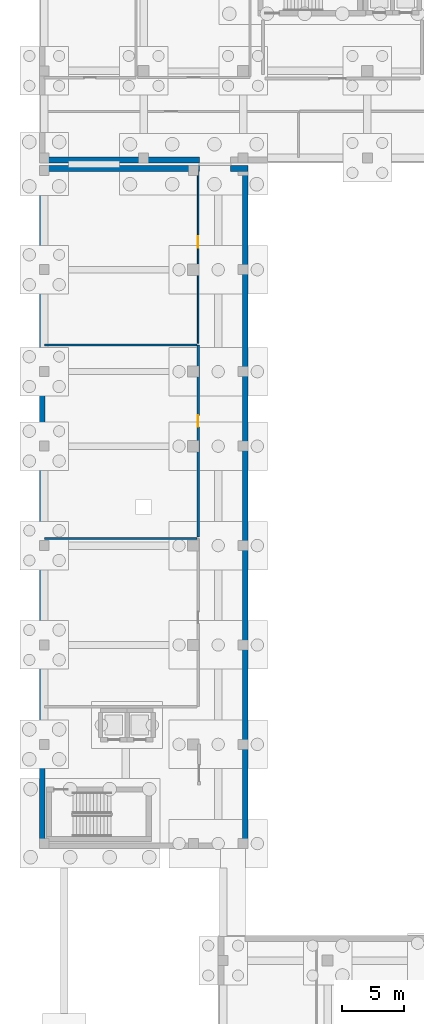
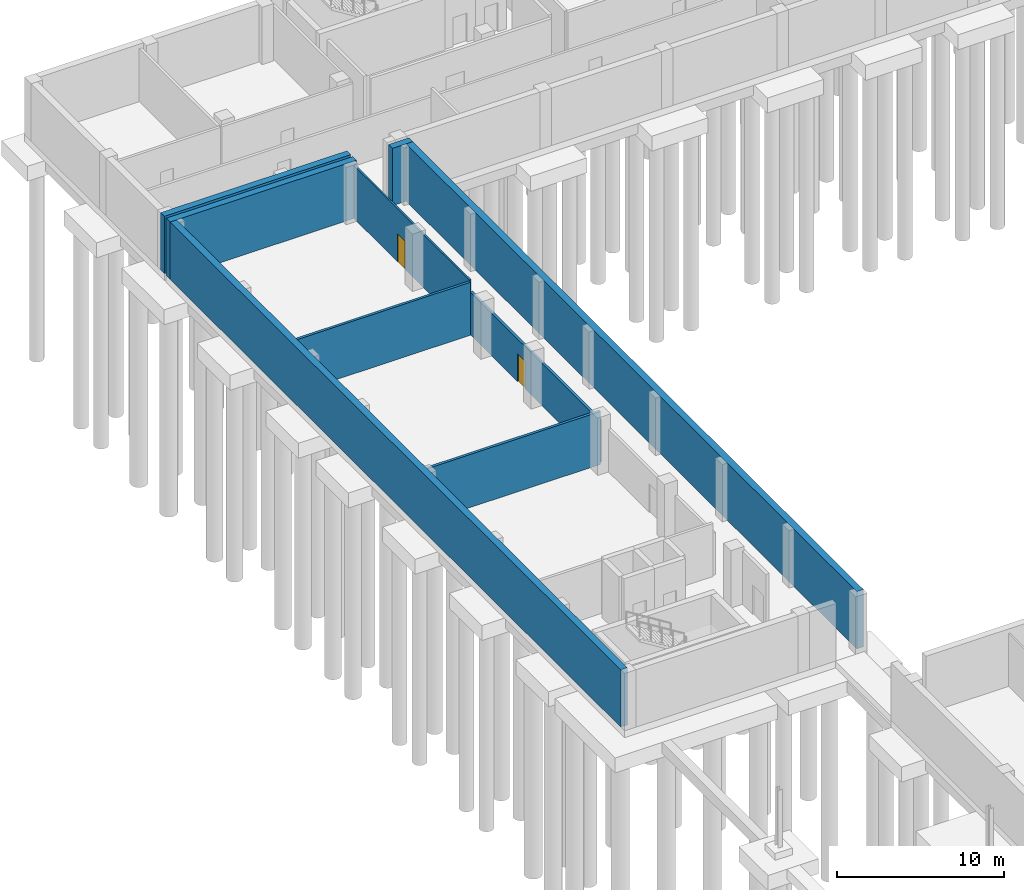
# One storey, part 20 of 31: 9 walls, 2 doors, 2 openings.
"""IFC4 building model written with IfcOpenShell, lengths in metres."""

from ifc_helpers import new_model, si_unit, direction, frame, frame_2d, origin, place, context, subcontext, project, spatial, rectangle, extrude, material, layer, layer_set, type_object, element, fill, save


model = new_model("IFC4")

# Units and contexts
model_context = context("Model", 3, precision=1e-05, world=origin(), true_north=direction((0.0, 1.0)))
body_context = subcontext(model_context, "Body", "Model", "MODEL_VIEW")
ifc_project = project(units=[si_unit("LENGTHUNIT", "METRE"), si_unit("AREAUNIT", "SQUARE_METRE"), si_unit("VOLUMEUNIT", "CUBIC_METRE"), si_unit("PLANEANGLEUNIT", "RADIAN"), si_unit("MASSUNIT", "GRAM", prefix="KILO")], contexts=[model_context])

# Site, building, storey
site_placement = place(None, origin())
site = spatial("IfcSite", under=ifc_project, at=site_placement, CompositionType="ELEMENT")
building_placement = place(site_placement, origin())
building = spatial("IfcBuilding", under=site, at=building_placement, Name="Qalavern Law Courts", CompositionType="ELEMENT")
storey_placement = place(building_placement, frame((0.0, 0.0, -8.39990234375)))
storey = spatial("IfcBuildingStorey", under=building, at=storey_placement, Name="B2", CompositionType="ELEMENT", Elevation=-8.39990234375)

# Walls
ifc_material_1 = material(Name="Concrete C35/45", Category="concrete")
ifc_layer_1 = layer(ifc_material_1, 0.4599609375)
ifc_layer_set_1 = layer_set([ifc_layer_1], Name="Concrete C35/45")
wall_type_1 = type_object("IfcWallType", Name="ENV-EW-RET460", PredefinedType="SOLIDWALL", material=ifc_layer_set_1)
wall_1_placement = place(storey_placement, frame((18.570068359375, 41.47509765625, 0.0), z_axis=(0.0, 0.0, 1.0), x_axis=(0.0, 1.0, 0.0)))
element("IfcWall", 1, at=wall_1_placement, inside=storey, type_object=wall_type_1, Name="V3 basement retaining wall B2 east", PredefinedType="SOLIDWALL", context=body_context, shape_type="SweptSolid", body=[
    extrude(rectangle(XDim=54.0498046875, YDim=0.4599609375, at=frame_2d((27.02490234375, 0.0))), origin(), (0.0, 0.0, 1.0), 4.199951171875),
])
wall_2_placement = place(storey_placement, frame((18.800048828125, 95.75, 0.0), z_axis=(0.0, 0.0, 1.0), x_axis=(-1.0, 0.0, 0.0)))
element("IfcWall", 2, at=wall_2_placement, inside=storey, type_object=wall_type_1, Name="V3 basement retaining wall B2 north", PredefinedType="SOLIDWALL", context=body_context, shape_type="SweptSolid", body=[
    extrude(rectangle(XDim=1.400146484375, YDim=0.4599609375, at=frame_2d((0.7001953125, 0.0))), origin(), (0.0, 0.0, 1.0), 4.199951171875),
])
wall_3_placement = place(storey_placement, frame((14.89990234375, 95.75, 0.0), z_axis=(0.0, 0.0, 1.0), x_axis=(-1.0, 0.0, 0.0)))
element("IfcWall", 3, at=wall_3_placement, inside=storey, type_object=wall_type_1, Name="V3 basement retaining wall B2 north", PredefinedType="SOLIDWALL", context=body_context, shape_type="SweptSolid", body=[
    extrude(rectangle(XDim=12.89990234375, YDim=0.4599609375, at=frame_2d((6.449951171875, 0.0))), origin(), (0.0, 0.0, 1.0), 4.199951171875),
])
wall_4_placement = place(storey_placement, frame((2.22998046875, 95.52490234375, 0.0), z_axis=(0.0, 0.0, 1.0), x_axis=(0.0, -1.0, 0.0)))
element("IfcWall", 4, at=wall_4_placement, inside=storey, type_object=wall_type_1, Name="V3 basement retaining wall B2 west", PredefinedType="SOLIDWALL", context=body_context, shape_type="SweptSolid", body=[
    extrude(rectangle(XDim=54.0498046875, YDim=0.4599609375, at=frame_2d((27.02490234375, 0.0))), origin(), (0.0, 0.0, 1.0), 4.199951171875),
])
wall_5_placement = place(storey_placement, frame((2.0, 96.429931640625, 0.0), z_axis=(0.0, 0.0, 1.0), x_axis=(1.0, 0.0, 0.0)))
element("IfcWall", 5, at=wall_5_placement, inside=storey, type_object=wall_type_1, Name="V5 basement retaining wall B2 south", PredefinedType="SOLIDWALL", context=body_context, shape_type="SweptSolid", body=[
    extrude(rectangle(XDim=12.89990234375, YDim=0.4599609375, at=frame_2d((6.449951171875, 0.0))), origin(), (0.0, 0.0, 1.0), 4.199951171875),
])

# Wall, opening, door
ifc_material_2 = material(Name="Gypsum stud partition")
ifc_layer_2 = layer(ifc_material_2, 0.1220703125)
ifc_layer_set_2 = layer_set([ifc_layer_2], Name="Gypsum stud partition")
wall_type_2 = type_object("IfcWallType", Name="INT-PW-122", PredefinedType="PARTITIONING", material=ifc_layer_set_2)
wall_6_placement = place(storey_placement, frame((14.7900390625, 81.666015625, 0.0), z_axis=(0.0, 0.0, 1.0), x_axis=(0.0, 1.0, 0.0)))
wall_6 = element("IfcWall", 6, at=wall_6_placement, inside=storey, type_object=wall_type_2, Name="Accessible WC corridor partition B2", PredefinedType="PARTITIONING", context=body_context, shape_type="SweptSolid", body=[
    extrude(rectangle(XDim=13.93408203125, YDim=0.1220703125, at=frame_2d((6.967041015625, 0.0))), origin(), (0.0, 0.0, 1.0), 3.8798828125),
])
opening_1_placement = place(wall_6_placement, frame((7.70703125, 0.0, 0.0)))
opening_1 = element("IfcOpeningElement", 7, at=opening_1_placement, cuts=wall_6, Name="Opening B2-D204", PredefinedType="OPENING", context=body_context, shape_type="SweptSolid", body=[
    extrude(rectangle(XDim=0.919921875, YDim=2.06005859375, at=frame_2d((0.4599609375, 1.030029296875))), frame((0.0, 0.075927734375, 0.0), z_axis=(0.0, -1.0, 0.0), x_axis=(1.0, 0.0, 0.0)), (0.0, 0.0, 1.0), 0.15185546875),
])
ifc_material_3 = material(Name="Public and Staff WC door")
door_type_1 = type_object("IfcDoorType", Name="INT-ID-920x2060", OperationType="NOTDEFINED", PredefinedType="DOOR", material=ifc_material_3)
door_1_placement = place(opening_1_placement, frame((0.919921875, 0.0, 0.0), z_axis=(0.0, 0.0, 1.0), x_axis=(-1.0, 0.0, 0.0)))
door_1 = element("IfcDoor", 8, at=door_1_placement, inside=storey, type_object=door_type_1, Name="Accessible WC door B2", OperationType="SINGLE_SWING_RIGHT", OverallHeight=2.06005859375, OverallWidth=0.919921875, PredefinedType="DOOR", context=body_context, shape_type="SweptSolid", body=[
    extrude(rectangle(XDim=0.919921875, YDim=2.06005859375, at=frame_2d((0.4599609375, 1.030029296875))), frame((0.0, 0.02490234375, 0.0), z_axis=(0.0, -1.0, 0.0), x_axis=(1.0, 0.0, 0.0)), (0.0, 0.0, 1.0), 0.050048828125),
])
fill(opening_1, door_1)

ifc_material_4 = material(Name="Gypsum acoustic stud partition")
ifc_layer_3 = layer(ifc_material_4, 0.174072265625)
ifc_layer_set_3 = layer_set([ifc_layer_3], Name="Gypsum acoustic stud partition")
wall_type_3 = type_object("IfcWallType", Name="INT-PW-174", PredefinedType="PARTITIONING", material=ifc_layer_set_3)
wall_7_placement = place(storey_placement, frame((14.7900390625, 66.08203125, 0.0), z_axis=(0.0, 0.0, 1.0), x_axis=(0.0, 1.0, 0.0)))
wall_7 = element("IfcWall", 9, at=wall_7_placement, inside=storey, type_object=wall_type_3, Name="Detention Plant Room corridor partition B2", PredefinedType="PARTITIONING", context=body_context, shape_type="SweptSolid", body=[
    extrude(rectangle(XDim=15.4638671875, YDim=0.174072265625, at=frame_2d((7.73193359375, 0.0))), origin(), (0.0, 0.0, 1.0), 3.10986328125),
])
opening_2_placement = place(wall_7_placement, frame((8.876953125, 0.0, 0.0)))
opening_2 = element("IfcOpeningElement", 10, at=opening_2_placement, cuts=wall_7, Name="Opening B2-D203", PredefinedType="OPENING", context=body_context, shape_type="SweptSolid", body=[
    extrude(rectangle(XDim=0.909912109375, YDim=2.0400390625, at=frame_2d((0.455078125, 1.02001953125))), frame((0.0, 0.10205078125, 0.0), z_axis=(0.0, -1.0, 0.0), x_axis=(1.0, 0.0, 0.0)), (0.0, 0.0, 1.0), 0.203857421875),
])
ifc_material_5 = material(Name="Steel MEP Plant Room door", Category="steel")
door_type_2 = type_object("IfcDoorType", Name="INT-ID-910x2040", OperationType="NOTDEFINED", PredefinedType="DOOR", material=ifc_material_5)
door_2_placement = place(opening_2_placement, frame((0.909912109375, 0.0, 0.0), z_axis=(0.0, 0.0, 1.0), x_axis=(-1.0, 0.0, 0.0)))
door_2 = element("IfcDoor", 11, at=door_2_placement, inside=storey, type_object=door_type_2, Name="Detention Plant Room door B2", OperationType="SINGLE_SWING_LEFT", OverallHeight=2.0400390625, OverallWidth=0.909912109375, PredefinedType="DOOR", context=body_context, shape_type="SweptSolid", body=[
    extrude(rectangle(XDim=0.909912109375, YDim=2.0400390625, at=frame_2d((0.455078125, 1.02001953125))), frame((0.0, 0.02490234375, 0.0), z_axis=(0.0, -1.0, 0.0), x_axis=(1.0, 0.0, 0.0)), (0.0, 0.0, 1.0), 0.050048828125),
])
fill(opening_2, door_2)

# Walls
wall_8_placement = place(storey_placement, frame((2.43994140625, 81.5458984375, 0.0), z_axis=(0.0, 0.0, 1.0), x_axis=(1.0, 0.0, 0.0)))
element("IfcWall", 12, at=wall_8_placement, inside=storey, type_object=wall_type_3, Name="Detention Plant Room cross partition B2 north", PredefinedType="PARTITIONING", context=body_context, shape_type="SweptSolid", body=[
    extrude(rectangle(XDim=12.2431640625, YDim=0.174072265625, at=frame_2d((6.12158203125, 0.0))), origin(), (0.0, 0.0, 1.0), 3.8798828125),
])
ifc_layer_4 = layer(ifc_material_4, 0.18603515625)
ifc_layer_set_4 = layer_set([ifc_layer_4], Name="Gypsum acoustic stud partition")
wall_type_4 = type_object("IfcWallType", Name="INT-PW-186", PredefinedType="PARTITIONING", material=ifc_layer_set_4)
wall_9_placement = place(storey_placement, frame((2.43994140625, 65.9619140625, 0.0), z_axis=(0.0, 0.0, 1.0), x_axis=(1.0, 0.0, 0.0)))
element("IfcWall", 13, at=wall_9_placement, inside=storey, type_object=wall_type_4, Name="Legal Evidence Archive Vault cross partition B2 north", PredefinedType="PARTITIONING", context=body_context, shape_type="SweptSolid", body=[
    extrude(rectangle(XDim=12.237060546875, YDim=0.18603515625, at=frame_2d((6.11865234375, 0.0))), origin(), (0.0, 0.0, 1.0), 3.8798828125),
])

save(model, "model.ifc")
